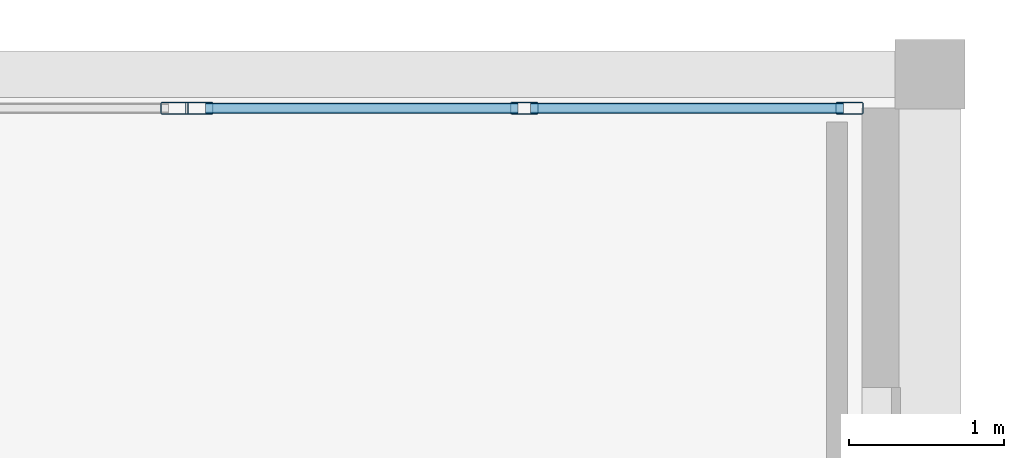
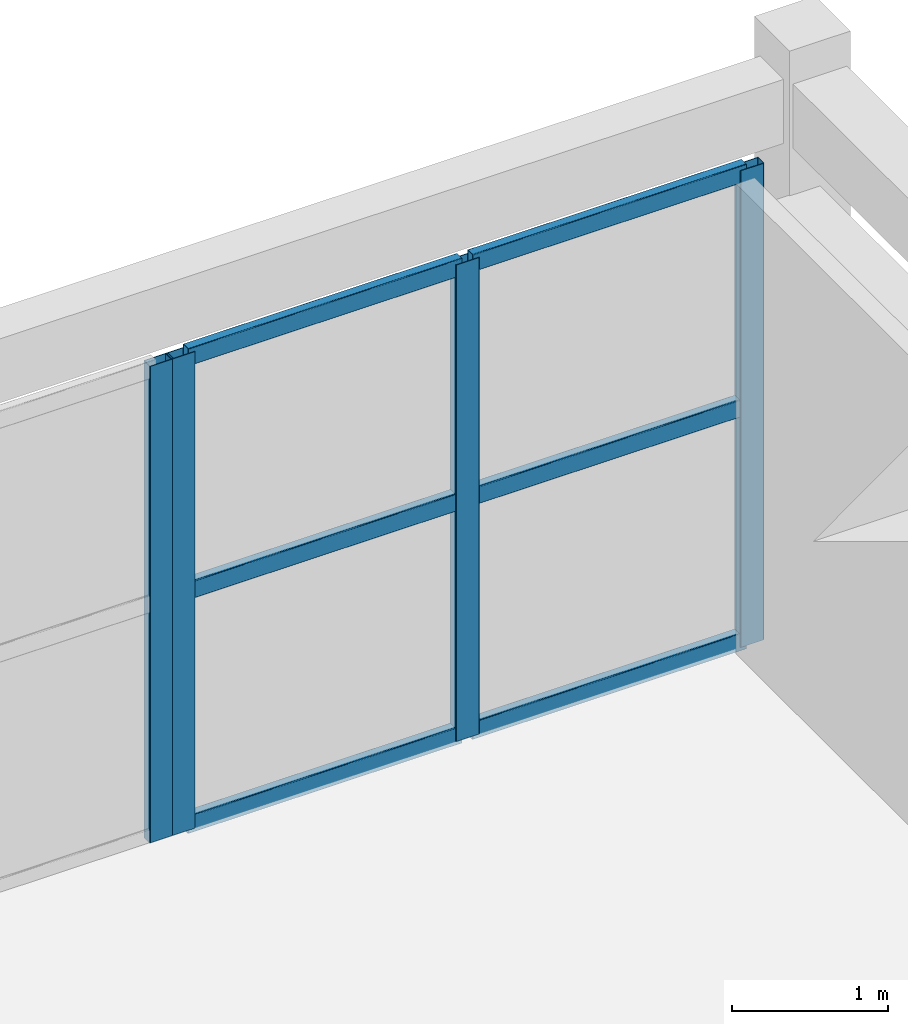
# One storey, part 43 of 92: 10 members, 2 elements without a shape of their own.
"""IFC4 building model written with IfcOpenShell, lengths in metres."""

from ifc_helpers import new_model, si_unit, direction, frame, origin, origin_2d, place, context, subcontext, project, spatial, hollow_rectangle, extrude, material, layer, layer_set, material_profile, profile_set, type_object, element, aggregate, save


model = new_model("IFC4")

# Units and contexts
model_context = context("Model", 3, precision=1e-05, world=origin(), true_north=direction((0.0, 1.0)))
body_context = subcontext(model_context, "Body", "Model", "MODEL_VIEW")
ifc_project = project(units=[si_unit("LENGTHUNIT", "METRE"), si_unit("AREAUNIT", "SQUARE_METRE"), si_unit("VOLUMEUNIT", "CUBIC_METRE"), si_unit("PLANEANGLEUNIT", "RADIAN"), si_unit("MASSUNIT", "GRAM", prefix="KILO")], contexts=[model_context])

# Site, building, storey
site_placement = place(None, origin())
site = spatial("IfcSite", under=ifc_project, at=site_placement, CompositionType="ELEMENT")
building_placement = place(site_placement, origin())
building = spatial("IfcBuilding", under=site, at=building_placement, Name="Tarnavel Promenade Courthouse", CompositionType="ELEMENT")
storey_placement = place(building_placement, frame((0.0, 0.0, 5.39990234375)))
storey = spatial("IfcBuildingStorey", under=building, at=storey_placement, Name="L02", CompositionType="ELEMENT", Elevation=5.39990234375)

# Curtain wall, member
ifc_material_1 = material(Name="Thermally Broken Anodised Aluminium Curtain Wall System", Category="aluminium")
ifc_layer = layer(ifc_material_1, 0.199951171875)
ifc_layer_set = layer_set([ifc_layer], Name="Thermally Broken Anodised Aluminium Curtain Wall System")
curtain_wall_type = type_object("IfcCurtainWallType", Name="Thermally Broken Aluminium Triple-Glazed Curtain Wall CW-FOYER", PredefinedType="NOTDEFINED", material=ifc_layer_set)
curtain_wall_1_placement = place(storey_placement, origin())
curtain_wall_1 = element("IfcCurtainWall", 1, at=curtain_wall_1_placement, inside=storey, type_object=curtain_wall_type, Name="L02 North Foyer Curtain Wall A 136", PredefinedType="NOTDEFINED")
ifc_material_2 = material(Name="Thermally Broken Anodised Aluminium Frame", Category="aluminium")
ifc_material_profile_1 = material_profile(ifc_material_2, hollow_rectangle(XDim=0.080078125, YDim=0.179931640625, WallThickness=0.0048828125, InnerFilletRadius=0.0048828125, OuterFilletRadius=0.010009765625, at=origin_2d()), Name="CWM 180x80x5")
ifc_profile_set_1 = profile_set([ifc_material_profile_1], Name="Thermally Broken Anodised Aluminium Frame")
member_type_1 = type_object("IfcMemberType", Name="Thermally Broken Anodised Aluminium CWM-155 (CWM 180x80x5)", PredefinedType="MULLION", material=ifc_profile_set_1)
member_1_placement = place(storey_placement, frame((97.1201171875, 112.580078125, 0.0), z_axis=(0.0, 0.0, 1.0), x_axis=(0.0, 1.0, 0.0)))
member_1 = element("IfcMember", 2, at=member_1_placement, type_object=member_type_1, Name="CW-04 mullion 3", PredefinedType="MULLION", context=body_context, shape_type="SweptSolid", body=[
    extrude(hollow_rectangle(XDim=0.080078125, YDim=0.179931640625, WallThickness=0.0048828125, InnerFilletRadius=0.0048828125, OuterFilletRadius=0.010009765625, at=origin_2d()), origin(), (0.0, 0.0, 1.0), 3.72021484375),
])
aggregate(curtain_wall_1, [member_1])

# Curtain wall, members
curtain_wall_2_placement = place(storey_placement, origin())
curtain_wall_2 = element("IfcCurtainWall", 3, at=curtain_wall_2_placement, inside=storey, type_object=curtain_wall_type, Name="L02 North Foyer Curtain Wall B 137", PredefinedType="NOTDEFINED")
member_2_placement = place(storey_placement, frame((97.280029296875, 112.580078125, 0.0), z_axis=(0.0, 0.0, 1.0), x_axis=(0.0, 1.0, 0.0)))
member_2 = element("IfcMember", 4, at=member_2_placement, type_object=member_type_1, Name="CW-04 mullion 1", PredefinedType="MULLION", context=body_context, shape_type="SweptSolid", body=[
    extrude(hollow_rectangle(XDim=0.080078125, YDim=0.179931640625, WallThickness=0.0048828125, InnerFilletRadius=0.0048828125, OuterFilletRadius=0.010009765625, at=origin_2d()), origin(), (0.0, 0.0, 1.0), 3.72021484375),
])
member_3_placement = place(storey_placement, frame((99.3798828125, 112.580078125, 0.0), z_axis=(0.0, 0.0, 1.0), x_axis=(0.0, 1.0, 0.0)))
member_3 = element("IfcMember", 5, at=member_3_placement, type_object=member_type_1, Name="CW-04 mullion 2", PredefinedType="MULLION", context=body_context, shape_type="SweptSolid", body=[
    extrude(hollow_rectangle(XDim=0.080078125, YDim=0.179931640625, WallThickness=0.0048828125, InnerFilletRadius=0.0048828125, OuterFilletRadius=0.010009765625, at=origin_2d()), origin(), (0.0, 0.0, 1.0), 3.72021484375),
])
member_4_placement = place(storey_placement, frame((101.47998046875, 112.580078125, 0.0), z_axis=(0.0, 0.0, 1.0), x_axis=(0.0, 1.0, 0.0)))
member_4 = element("IfcMember", 6, at=member_4_placement, type_object=member_type_1, Name="CW-04 mullion 3", PredefinedType="MULLION", context=body_context, shape_type="SweptSolid", body=[
    extrude(hollow_rectangle(XDim=0.080078125, YDim=0.179931640625, WallThickness=0.0048828125, InnerFilletRadius=0.0048828125, OuterFilletRadius=0.010009765625, at=origin_2d()), origin(), (0.0, 0.0, 1.0), 3.72021484375),
])
ifc_material_profile_2 = material_profile(ifc_material_2, hollow_rectangle(XDim=0.070068359375, YDim=0.139892578125, WallThickness=0.0048828125, InnerFilletRadius=0.0048828125, OuterFilletRadius=0.010009765625, at=origin_2d()), Name="CWT 140x70x5")
ifc_profile_set_2 = profile_set([ifc_material_profile_2], Name="Thermally Broken Anodised Aluminium Frame")
member_type_2 = type_object("IfcMemberType", Name="Thermally Broken Anodised Aluminium CWT-125 (CWT 140x70x5)", PredefinedType="USERDEFINED", material=ifc_profile_set_2)
member_5_placement = place(storey_placement, frame((97.320068359375, 112.580078125, 0.03515625), z_axis=(1.0, 0.0, 0.0), x_axis=(0.0, 1.0, 0.0)))
member_5 = element("IfcMember", 7, at=member_5_placement, type_object=member_type_2, Name="CW-04 transom 1.1", ObjectType="TRANSOM", PredefinedType="USERDEFINED", context=body_context, shape_type="SweptSolid", body=[
    extrude(hollow_rectangle(XDim=0.070068359375, YDim=0.139892578125, WallThickness=0.0048828125, InnerFilletRadius=0.0048828125, OuterFilletRadius=0.010009765625, at=origin_2d()), origin(), (0.0, 0.0, 1.0), 2.02001953125),
])
member_6_placement = place(storey_placement, frame((97.320068359375, 112.580078125, 1.860107421875), z_axis=(1.0, 0.0, 0.0), x_axis=(0.0, 1.0, 0.0)))
member_6 = element("IfcMember", 8, at=member_6_placement, type_object=member_type_2, Name="CW-04 transom 1.2", ObjectType="TRANSOM", PredefinedType="USERDEFINED", context=body_context, shape_type="SweptSolid", body=[
    extrude(hollow_rectangle(XDim=0.070068359375, YDim=0.139892578125, WallThickness=0.0048828125, InnerFilletRadius=0.0048828125, OuterFilletRadius=0.010009765625, at=origin_2d()), origin(), (0.0, 0.0, 1.0), 2.02001953125),
])
member_7_placement = place(storey_placement, frame((97.320068359375, 112.580078125, 3.68505859375), z_axis=(1.0, 0.0, 0.0), x_axis=(0.0, 1.0, 0.0)))
member_7 = element("IfcMember", 9, at=member_7_placement, type_object=member_type_2, Name="CW-04 transom 1.3", ObjectType="TRANSOM", PredefinedType="USERDEFINED", context=body_context, shape_type="SweptSolid", body=[
    extrude(hollow_rectangle(XDim=0.070068359375, YDim=0.139892578125, WallThickness=0.0048828125, InnerFilletRadius=0.0048828125, OuterFilletRadius=0.010009765625, at=origin_2d()), origin(), (0.0, 0.0, 1.0), 2.02001953125),
])
member_8_placement = place(storey_placement, frame((99.419921875, 112.580078125, 0.03515625), z_axis=(1.0, 0.0, 0.0), x_axis=(0.0, 1.0, 0.0)))
member_8 = element("IfcMember", 10, at=member_8_placement, type_object=member_type_2, Name="CW-04 transom 2.1", ObjectType="TRANSOM", PredefinedType="USERDEFINED", context=body_context, shape_type="SweptSolid", body=[
    extrude(hollow_rectangle(XDim=0.070068359375, YDim=0.139892578125, WallThickness=0.0048828125, InnerFilletRadius=0.0048828125, OuterFilletRadius=0.010009765625, at=origin_2d()), origin(), (0.0, 0.0, 1.0), 2.02001953125),
])
member_9_placement = place(storey_placement, frame((99.419921875, 112.580078125, 1.860107421875), z_axis=(1.0, 0.0, 0.0), x_axis=(0.0, 1.0, 0.0)))
member_9 = element("IfcMember", 11, at=member_9_placement, type_object=member_type_2, Name="CW-04 transom 2.2", ObjectType="TRANSOM", PredefinedType="USERDEFINED", context=body_context, shape_type="SweptSolid", body=[
    extrude(hollow_rectangle(XDim=0.070068359375, YDim=0.139892578125, WallThickness=0.0048828125, InnerFilletRadius=0.0048828125, OuterFilletRadius=0.010009765625, at=origin_2d()), origin(), (0.0, 0.0, 1.0), 2.02001953125),
])
member_10_placement = place(storey_placement, frame((99.419921875, 112.580078125, 3.68505859375), z_axis=(1.0, 0.0, 0.0), x_axis=(0.0, 1.0, 0.0)))
member_10 = element("IfcMember", 12, at=member_10_placement, type_object=member_type_2, Name="CW-04 transom 2.3", ObjectType="TRANSOM", PredefinedType="USERDEFINED", context=body_context, shape_type="SweptSolid", body=[
    extrude(hollow_rectangle(XDim=0.070068359375, YDim=0.139892578125, WallThickness=0.0048828125, InnerFilletRadius=0.0048828125, OuterFilletRadius=0.010009765625, at=origin_2d()), origin(), (0.0, 0.0, 1.0), 2.02001953125),
])
aggregate(curtain_wall_2, [member_2, member_3, member_4, member_5, member_6, member_7, member_8, member_9, member_10])

save(model, "model.ifc")
